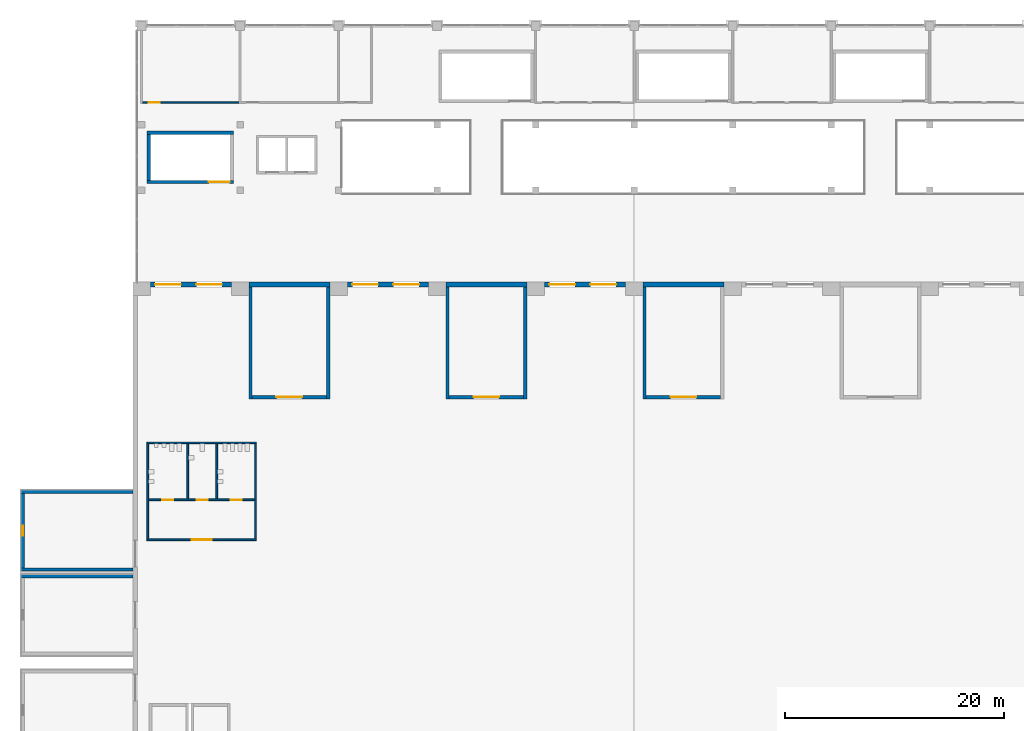
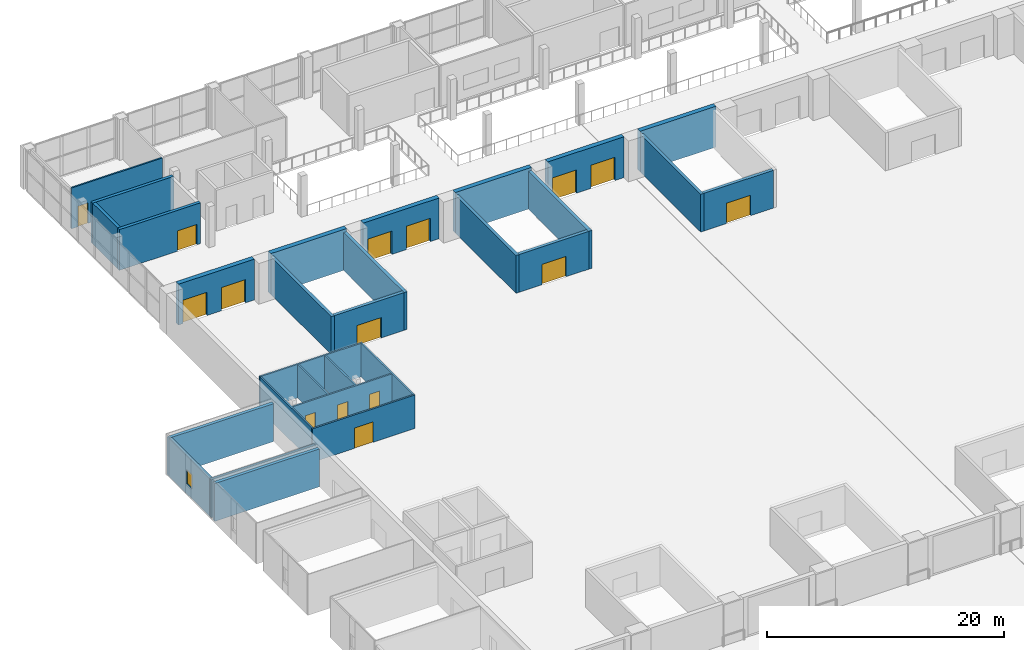
# One storey, part 17 of 39: 29 walls, 15 doors, 1 window, 16 openings.
"""IFC4 building model written with IfcOpenShell, lengths in metres."""

from ifc_helpers import new_model, si_unit, direction, frame, frame_2d, origin, place, context, subcontext, project, spatial, rectangle, extrude, material, layer, layer_set, type_object, element, fill, save


model = new_model("IFC4")

# Units and contexts
model_context = context("Model", 3, precision=1e-05, world=origin(), true_north=direction((0.0, 1.0)))
body_context = subcontext(model_context, "Body", "Model", "MODEL_VIEW")
ifc_project = project(units=[si_unit("LENGTHUNIT", "METRE"), si_unit("AREAUNIT", "SQUARE_METRE"), si_unit("VOLUMEUNIT", "CUBIC_METRE"), si_unit("PLANEANGLEUNIT", "RADIAN"), si_unit("MASSUNIT", "GRAM", prefix="KILO")], contexts=[model_context])

# Site, building, storey
site_placement = place(None, origin())
site = spatial("IfcSite", under=ifc_project, at=site_placement, CompositionType="ELEMENT")
building_placement = place(site_placement, origin())
building = spatial("IfcBuilding", under=site, at=building_placement, Name="Aravalli Gate Trade Fair Centre", CompositionType="ELEMENT")
storey_placement = place(building_placement, frame((0.0, 0.0, 15.0)))
storey = spatial("IfcBuildingStorey", under=building, at=storey_placement, Name="L03", CompositionType="ELEMENT", Elevation=15.0)

# Wall, openings, doors
ifc_material_1 = material(Name="Concrete M40", Category="concrete")
ifc_layer_1 = layer(ifc_material_1, 0.25, Name="Structural wall")
ifc_material_2 = material(Name="Ventilated air cavity")
ifc_layer_2 = layer(ifc_material_2, 0.10009765625, ventilated=True, Name="Ventilated cavity")
ifc_material_3 = material(Name="Terracotta rainscreen", Category="masonry")
ifc_layer_3 = layer(ifc_material_3, 0.10009765625, Name="Rainscreen cladding")
ifc_layer_set_1 = layer_set([ifc_layer_1, ifc_layer_2, ifc_layer_3], Name="Hall external wall 450")
wall_type_1 = type_object("IfcWallType", Name="Hall external wall 450", PredefinedType="SOLIDWALL", material=ifc_layer_set_1)
wall_1_placement = place(storey_placement, frame((6.800048828125, 109.375, 0.0), z_axis=(0.0, 0.0, 1.0), x_axis=(1.0, 0.0, 0.0)))
wall_1 = element("IfcWall", 1, at=wall_1_placement, inside=storey, type_object=wall_type_1, Name="Hall north wall bay 1 L03", PredefinedType="SOLIDWALL", context=body_context, shape_type="SweptSolid", body=[
    extrude(rectangle(XDim=7.39990234375, YDim=0.449951171875, at=frame_2d((3.699951171875, 0.0))), origin(), (0.0, 0.0, 1.0), 4.199951171875),
])
opening_1_placement = place(wall_1_placement, frame((0.449951171875, 0.0, 0.0)))
opening_1 = element("IfcOpeningElement", 2, at=opening_1_placement, cuts=wall_1, Name="Opening H-L03-02", PredefinedType="OPENING", context=body_context, shape_type="SweptSolid", body=[
    extrude(rectangle(XDim=2.35009765625, YDim=2.39990234375, at=frame_2d((1.175048828125, 1.199951171875))), frame((0.0, 0.23486328125, 0.0), z_axis=(0.0, -1.0, 0.0), x_axis=(1.0, 0.0, 0.0)), (0.0, 0.0, 1.0), 0.469970703125),
])
opening_2_placement = place(wall_1_placement, frame((4.199951171875, 0.0, 0.0)))
opening_2 = element("IfcOpeningElement", 3, at=opening_2_placement, cuts=wall_1, Name="Opening H-L03-03", PredefinedType="OPENING", context=body_context, shape_type="SweptSolid", body=[
    extrude(rectangle(XDim=2.35009765625, YDim=2.39990234375, at=frame_2d((1.175048828125, 1.199951171875))), frame((0.0, 0.23486328125, 0.0), z_axis=(0.0, -1.0, 0.0), x_axis=(1.0, 0.0, 0.0)), (0.0, 0.0, 1.0), 0.469970703125),
])
ifc_material_4 = material(Name="Steel", Category="steel")
door_type_1 = type_object("IfcDoorType", Name="Hall entrance double door FD120", OperationType="DOUBLE_DOOR_SINGLE_SWING", PredefinedType="DOOR", material=ifc_material_4)
door_1_placement = place(opening_1_placement, origin())
door_1 = element("IfcDoor", 4, at=door_1_placement, inside=storey, type_object=door_type_1, Name="Hall entrance door bay 1 L03 1", OperationType="DOUBLE_DOOR_SINGLE_SWING", OverallHeight=2.39990234375, OverallWidth=2.35009765625, PredefinedType="DOOR", context=body_context, shape_type="SweptSolid", body=[
    extrude(rectangle(XDim=2.35009765625, YDim=2.39990234375, at=frame_2d((1.175048828125, 1.199951171875))), frame((0.0, 0.02490234375, 0.0), z_axis=(0.0, -1.0, 0.0), x_axis=(1.0, 0.0, 0.0)), (0.0, 0.0, 1.0), 0.050048828125),
])
fill(opening_1, door_1)
door_2_placement = place(opening_2_placement, origin())
door_2 = element("IfcDoor", 5, at=door_2_placement, inside=storey, type_object=door_type_1, Name="Hall entrance door bay 1 L03 2", OperationType="DOUBLE_DOOR_SINGLE_SWING", OverallHeight=2.39990234375, OverallWidth=2.35009765625, PredefinedType="DOOR", context=body_context, shape_type="SweptSolid", body=[
    extrude(rectangle(XDim=2.35009765625, YDim=2.39990234375, at=frame_2d((1.175048828125, 1.199951171875))), frame((0.0, 0.02490234375, 0.0), z_axis=(0.0, -1.0, 0.0), x_axis=(1.0, 0.0, 0.0)), (0.0, 0.0, 1.0), 0.050048828125),
])
fill(opening_2, door_2)

# Wall
wall_2_placement = place(storey_placement, frame((15.800048828125, 109.375, 0.0), z_axis=(0.0, 0.0, 1.0), x_axis=(1.0, 0.0, 0.0)))
element("IfcWall", 6, at=wall_2_placement, inside=storey, type_object=wall_type_1, Name="Hall north wall bay 2 L03", PredefinedType="SOLIDWALL", context=body_context, shape_type="SweptSolid", body=[
    extrude(rectangle(XDim=7.39990234375, YDim=0.449951171875, at=frame_2d((3.699951171875, 0.0))), origin(), (0.0, 0.0, 1.0), 4.199951171875),
])

# Wall, openings, doors
wall_3_placement = place(storey_placement, frame((24.800048828125, 109.375, 0.0), z_axis=(0.0, 0.0, 1.0), x_axis=(1.0, 0.0, 0.0)))
wall_3 = element("IfcWall", 7, at=wall_3_placement, inside=storey, type_object=wall_type_1, Name="Hall north wall bay 3 L03", PredefinedType="SOLIDWALL", context=body_context, shape_type="SweptSolid", body=[
    extrude(rectangle(XDim=7.39990234375, YDim=0.449951171875, at=frame_2d((3.699951171875, 0.0))), origin(), (0.0, 0.0, 1.0), 4.199951171875),
])
opening_3_placement = place(wall_3_placement, frame((0.449951171875, 0.0, 0.0)))
opening_3 = element("IfcOpeningElement", 8, at=opening_3_placement, cuts=wall_3, Name="Opening H-L03-05", PredefinedType="OPENING", context=body_context, shape_type="SweptSolid", body=[
    extrude(rectangle(XDim=2.35009765625, YDim=2.39990234375, at=frame_2d((1.175048828125, 1.199951171875))), frame((0.0, 0.23486328125, 0.0), z_axis=(0.0, -1.0, 0.0), x_axis=(1.0, 0.0, 0.0)), (0.0, 0.0, 1.0), 0.469970703125),
])
opening_4_placement = place(wall_3_placement, frame((4.199951171875, 0.0, 0.0)))
opening_4 = element("IfcOpeningElement", 9, at=opening_4_placement, cuts=wall_3, Name="Opening H-L03-06", PredefinedType="OPENING", context=body_context, shape_type="SweptSolid", body=[
    extrude(rectangle(XDim=2.35009765625, YDim=2.39990234375, at=frame_2d((1.175048828125, 1.199951171875))), frame((0.0, 0.23486328125, 0.0), z_axis=(0.0, -1.0, 0.0), x_axis=(1.0, 0.0, 0.0)), (0.0, 0.0, 1.0), 0.469970703125),
])
door_3_placement = place(opening_3_placement, origin())
door_3 = element("IfcDoor", 10, at=door_3_placement, inside=storey, type_object=door_type_1, Name="Hall entrance door bay 3 L03 1", OperationType="DOUBLE_DOOR_SINGLE_SWING", OverallHeight=2.39990234375, OverallWidth=2.35009765625, PredefinedType="DOOR", context=body_context, shape_type="SweptSolid", body=[
    extrude(rectangle(XDim=2.35009765625, YDim=2.39990234375, at=frame_2d((1.175048828125, 1.199951171875))), frame((0.0, 0.02490234375, 0.0), z_axis=(0.0, -1.0, 0.0), x_axis=(1.0, 0.0, 0.0)), (0.0, 0.0, 1.0), 0.050048828125),
])
fill(opening_3, door_3)
door_4_placement = place(opening_4_placement, origin())
door_4 = element("IfcDoor", 11, at=door_4_placement, inside=storey, type_object=door_type_1, Name="Hall entrance door bay 3 L03 2", OperationType="DOUBLE_DOOR_SINGLE_SWING", OverallHeight=2.39990234375, OverallWidth=2.35009765625, PredefinedType="DOOR", context=body_context, shape_type="SweptSolid", body=[
    extrude(rectangle(XDim=2.35009765625, YDim=2.39990234375, at=frame_2d((1.175048828125, 1.199951171875))), frame((0.0, 0.02490234375, 0.0), z_axis=(0.0, -1.0, 0.0), x_axis=(1.0, 0.0, 0.0)), (0.0, 0.0, 1.0), 0.050048828125),
])
fill(opening_4, door_4)

# Wall
wall_4_placement = place(storey_placement, frame((33.800048828125, 109.375, 0.0), z_axis=(0.0, 0.0, 1.0), x_axis=(1.0, 0.0, 0.0)))
element("IfcWall", 12, at=wall_4_placement, inside=storey, type_object=wall_type_1, Name="Hall north wall bay 4 L03", PredefinedType="SOLIDWALL", context=body_context, shape_type="SweptSolid", body=[
    extrude(rectangle(XDim=7.39990234375, YDim=0.449951171875, at=frame_2d((3.699951171875, 0.0))), origin(), (0.0, 0.0, 1.0), 4.199951171875),
])

# Wall, openings, doors
wall_5_placement = place(storey_placement, frame((42.800048828125, 109.375, 0.0), z_axis=(0.0, 0.0, 1.0), x_axis=(1.0, 0.0, 0.0)))
wall_5 = element("IfcWall", 13, at=wall_5_placement, inside=storey, type_object=wall_type_1, Name="Hall north wall bay 5 L03", PredefinedType="SOLIDWALL", context=body_context, shape_type="SweptSolid", body=[
    extrude(rectangle(XDim=7.39990234375, YDim=0.449951171875, at=frame_2d((3.699951171875, 0.0))), origin(), (0.0, 0.0, 1.0), 4.199951171875),
])
opening_5_placement = place(wall_5_placement, frame((0.449951171875, 0.0, 0.0)))
opening_5 = element("IfcOpeningElement", 14, at=opening_5_placement, cuts=wall_5, Name="Opening H-L03-08", PredefinedType="OPENING", context=body_context, shape_type="SweptSolid", body=[
    extrude(rectangle(XDim=2.35009765625, YDim=2.39990234375, at=frame_2d((1.175048828125, 1.199951171875))), frame((0.0, 0.23486328125, 0.0), z_axis=(0.0, -1.0, 0.0), x_axis=(1.0, 0.0, 0.0)), (0.0, 0.0, 1.0), 0.469970703125),
])
opening_6_placement = place(wall_5_placement, frame((4.199951171875, 0.0, 0.0)))
opening_6 = element("IfcOpeningElement", 15, at=opening_6_placement, cuts=wall_5, Name="Opening H-L03-09", PredefinedType="OPENING", context=body_context, shape_type="SweptSolid", body=[
    extrude(rectangle(XDim=2.35009765625, YDim=2.39990234375, at=frame_2d((1.175048828125, 1.199951171875))), frame((0.0, 0.23486328125, 0.0), z_axis=(0.0, -1.0, 0.0), x_axis=(1.0, 0.0, 0.0)), (0.0, 0.0, 1.0), 0.469970703125),
])
door_5_placement = place(opening_5_placement, origin())
door_5 = element("IfcDoor", 16, at=door_5_placement, inside=storey, type_object=door_type_1, Name="Hall entrance door bay 5 L03 1", OperationType="DOUBLE_DOOR_SINGLE_SWING", OverallHeight=2.39990234375, OverallWidth=2.35009765625, PredefinedType="DOOR", context=body_context, shape_type="SweptSolid", body=[
    extrude(rectangle(XDim=2.35009765625, YDim=2.39990234375, at=frame_2d((1.175048828125, 1.199951171875))), frame((0.0, 0.02490234375, 0.0), z_axis=(0.0, -1.0, 0.0), x_axis=(1.0, 0.0, 0.0)), (0.0, 0.0, 1.0), 0.050048828125),
])
fill(opening_5, door_5)
door_6_placement = place(opening_6_placement, origin())
door_6 = element("IfcDoor", 17, at=door_6_placement, inside=storey, type_object=door_type_1, Name="Hall entrance door bay 5 L03 2", OperationType="DOUBLE_DOOR_SINGLE_SWING", OverallHeight=2.39990234375, OverallWidth=2.35009765625, PredefinedType="DOOR", context=body_context, shape_type="SweptSolid", body=[
    extrude(rectangle(XDim=2.35009765625, YDim=2.39990234375, at=frame_2d((1.175048828125, 1.199951171875))), frame((0.0, 0.02490234375, 0.0), z_axis=(0.0, -1.0, 0.0), x_axis=(1.0, 0.0, 0.0)), (0.0, 0.0, 1.0), 0.050048828125),
])
fill(opening_6, door_6)

# Wall
wall_6_placement = place(storey_placement, frame((51.800048828125, 109.375, 0.0), z_axis=(0.0, 0.0, 1.0), x_axis=(1.0, 0.0, 0.0)))
element("IfcWall", 18, at=wall_6_placement, inside=storey, type_object=wall_type_1, Name="Hall north wall bay 6 L03", PredefinedType="SOLIDWALL", context=body_context, shape_type="SweptSolid", body=[
    extrude(rectangle(XDim=7.39990234375, YDim=0.449951171875, at=frame_2d((3.699951171875, 0.0))), origin(), (0.0, 0.0, 1.0), 4.199951171875),
])

# Wall, opening, door
ifc_material_5 = material(Name="Gypsum board")
ifc_layer_4 = layer(ifc_material_5, 0.02490234375, Name="Gypsum board lining")
ifc_material_6 = material(Name="Galvanised stud framing")
ifc_layer_5 = layer(ifc_material_6, 0.10009765625, Name="Stud framing")
ifc_layer_6 = layer(ifc_material_5, 0.02490234375, Name="Gypsum board lining")
ifc_layer_set_2 = layer_set([ifc_layer_4, ifc_layer_5, ifc_layer_6], Name="Partition wall 150")
wall_type_2 = type_object("IfcWallType", Name="Partition wall 150", PredefinedType="PARTITIONING", material=ifc_layer_set_2)
wall_7_placement = place(storey_placement, frame((6.074951171875, 126.0, 0.0), z_axis=(0.0, 0.0, 1.0), x_axis=(1.0, 0.0, 0.0)))
wall_7 = element("IfcWall", 19, at=wall_7_placement, inside=storey, type_object=wall_type_2, Name="Partition Gents WC south L03", PredefinedType="PARTITIONING", context=body_context, shape_type="SweptSolid", body=[
    extrude(rectangle(XDim=8.85009765625, YDim=0.14990234375, at=frame_2d((4.425048828125, 0.0))), origin(), (0.0, 0.0, 1.0), 4.199951171875),
])
opening_7_placement = place(wall_7_placement, frame((0.60009765625, 0.0, 0.0)))
opening_7 = element("IfcOpeningElement", 20, at=opening_7_placement, cuts=wall_7, Name="Opening C-L03-12", PredefinedType="OPENING", context=body_context, shape_type="SweptSolid", body=[
    extrude(rectangle(XDim=1.0, YDim=2.10009765625, at=frame_2d((0.5, 1.050048828125))), frame((0.0, 0.0849609375, 0.0), z_axis=(0.0, -1.0, 0.0), x_axis=(1.0, 0.0, 0.0)), (0.0, 0.0, 1.0), 0.169921875),
])
ifc_material_7 = material(Name="Steel, fire rated", Category="steel")
door_type_2 = type_object("IfcDoorType", Name="Room door 1000 x 2100", OperationType="SINGLE_SWING_RIGHT", PredefinedType="NOTDEFINED", material=ifc_material_7)
door_7_placement = place(opening_7_placement, frame((1.0, 0.0, 0.0), z_axis=(0.0, 0.0, 1.0), x_axis=(-1.0, 0.0, 0.0)))
door_7 = element("IfcDoor", 21, at=door_7_placement, inside=storey, type_object=door_type_2, Name="Door Gents WC L03", OperationType="SINGLE_SWING_LEFT", OverallHeight=2.10009765625, OverallWidth=1.0, PredefinedType="NOTDEFINED", context=body_context, shape_type="SweptSolid", body=[
    extrude(rectangle(XDim=1.0, YDim=2.10009765625, at=frame_2d((0.5, 1.050048828125))), frame((0.0, 0.02490234375, 0.0), z_axis=(0.0, -1.0, 0.0), x_axis=(1.0, 0.0, 0.0)), (0.0, 0.0, 1.0), 0.050048828125),
])
fill(opening_7, door_7)

ifc_layer_7 = layer(ifc_material_1, 0.300048828125)
ifc_layer_set_3 = layer_set([ifc_layer_7], Name="Concrete M40")
wall_type_3 = type_object("IfcWallType", Name="RC core wall 300", PredefinedType="SHEAR", material=ifc_layer_set_3)
wall_8_placement = place(storey_placement, frame((6.5, 118.75, 0.0), z_axis=(0.0, 0.0, 1.0), x_axis=(1.0, 0.0, 0.0)))
wall_8 = element("IfcWall", 22, at=wall_8_placement, inside=storey, type_object=wall_type_3, Name="Core wall WSS L03", PredefinedType="SHEAR", context=body_context, shape_type="SweptSolid", body=[
    extrude(rectangle(XDim=7.89990234375, YDim=0.300048828125, at=frame_2d((3.949951171875, 0.0))), origin(), (0.0, 0.0, 1.0), 4.199951171875),
])
opening_8_placement = place(wall_8_placement, frame((5.64990234375, 0.0, 0.0)))
opening_8 = element("IfcOpeningElement", 23, at=opening_8_placement, cuts=wall_8, Name="Opening C-L03-01", PredefinedType="OPENING", context=body_context, shape_type="SweptSolid", body=[
    extrude(rectangle(XDim=1.89990234375, YDim=2.10009765625, at=frame_2d((0.949951171875, 1.050048828125))), frame((0.0, 0.159912109375, 0.0), z_axis=(0.0, -1.0, 0.0), x_axis=(1.0, 0.0, 0.0)), (0.0, 0.0, 1.0), 0.320068359375),
])
door_type_3 = type_object("IfcDoorType", Name="Concourse stair door 1900 x 2100", OperationType="DOUBLE_DOOR_SINGLE_SWING", PredefinedType="NOTDEFINED", material=ifc_material_7)
door_8_placement = place(opening_8_placement, frame((1.89990234375, 0.0, 0.0), z_axis=(0.0, 0.0, 1.0), x_axis=(-1.0, 0.0, 0.0)))
door_8 = element("IfcDoor", 24, at=door_8_placement, inside=storey, type_object=door_type_3, Name="Stair door WS L03", OperationType="DOUBLE_DOOR_SINGLE_SWING", OverallHeight=2.10009765625, OverallWidth=1.89990234375, PredefinedType="NOTDEFINED", context=body_context, shape_type="SweptSolid", body=[
    extrude(rectangle(XDim=1.89990234375, YDim=2.10009765625, at=frame_2d((0.949951171875, 1.050048828125))), frame((0.0, 0.02490234375, 0.0), z_axis=(0.0, -1.0, 0.0), x_axis=(1.0, 0.0, 0.0)), (0.0, 0.0, 1.0), 0.050048828125),
])
fill(opening_8, door_8)

# Walls
wall_9_placement = place(storey_placement, frame((6.5, 123.25, 0.0), z_axis=(0.0, 0.0, 1.0), x_axis=(1.0, 0.0, 0.0)))
element("IfcWall", 25, at=wall_9_placement, inside=storey, type_object=wall_type_3, Name="Core wall WSN L03", PredefinedType="SHEAR", context=body_context, shape_type="SweptSolid", body=[
    extrude(rectangle(XDim=7.89990234375, YDim=0.300048828125, at=frame_2d((3.949951171875, 0.0))), origin(), (0.0, 0.0, 1.0), 4.199951171875),
])
wall_10_placement = place(storey_placement, frame((6.64990234375, 118.89990234375, 0.0), z_axis=(0.0, 0.0, 1.0), x_axis=(0.0, 1.0, 0.0)))
element("IfcWall", 26, at=wall_10_placement, inside=storey, type_object=wall_type_3, Name="Core wall WSW L03", PredefinedType="SHEAR", context=body_context, shape_type="SweptSolid", body=[
    extrude(rectangle(XDim=4.2001953125, YDim=0.300048828125, at=frame_2d((2.10009765625, 0.0))), origin(), (0.0, 0.0, 1.0), 4.199951171875),
])
ifc_layer_8 = layer(ifc_material_1, 0.300048828125)
ifc_layer_set_4 = layer_set([ifc_layer_8], Name="Concrete M40")
wall_type_4 = type_object("IfcWallType", Name="Stair tower wall RC 300", PredefinedType="SHEAR", material=ifc_layer_set_4)
for number, where, z_axis, x_axis, name in (
    (27, (15.949951171875, 109.14990234375, 0.0), (0.0, 0.0, 1.0), (0.0, -1.0, 0.0), "Stair tower N02 wall W L03"),
    (28, (23.050048828125, 109.14990234375, 0.0), (0.0, 0.0, 1.0), (0.0, -1.0, 0.0), "Stair tower N02 wall E L03"),
):
    element("IfcWall", number, at=place(storey_placement, frame(where, z_axis=z_axis, x_axis=x_axis)), inside=storey, type_object=wall_type_4, Name=name, PredefinedType="SHEAR", context=body_context, shape_type="SweptSolid", body=[
        extrude(rectangle(XDim=10.199951171875, YDim=0.300048828125, at=frame_2d((5.10009765625, 0.0))), origin(), (0.0, 0.0, 1.0), 3.89990234375),
    ])

# Wall, opening, door
wall_11_placement = place(storey_placement, frame((16.10009765625, 99.10009765625, 0.0), z_axis=(0.0, 0.0, 1.0), x_axis=(1.0, 0.0, 0.0)))
wall_11 = element("IfcWall", 29, at=wall_11_placement, inside=storey, type_object=wall_type_4, Name="Stair tower N02 wall F L03", PredefinedType="SHEAR", context=body_context, shape_type="SweptSolid", body=[
    extrude(rectangle(XDim=6.7998046875, YDim=0.300048828125, at=frame_2d((3.39990234375, 0.0))), origin(), (0.0, 0.0, 1.0), 3.89990234375),
])
opening_9_placement = place(wall_11_placement, frame((2.22509765625, 0.0, 0.0)))
opening_9 = element("IfcOpeningElement", 30, at=opening_9_placement, cuts=wall_11, Name="Opening H-L03-28", PredefinedType="OPENING", context=body_context, shape_type="SweptSolid", body=[
    extrude(rectangle(XDim=2.35009765625, YDim=2.10009765625, at=frame_2d((1.175048828125, 1.050048828125))), frame((0.0, 0.159912109375, 0.0), z_axis=(0.0, -1.0, 0.0), x_axis=(1.0, 0.0, 0.0)), (0.0, 0.0, 1.0), 0.320068359375),
])
door_type_4 = type_object("IfcDoorType", Name="Stair lobby double door FD120", OperationType="DOUBLE_DOOR_SINGLE_SWING", PredefinedType="DOOR", material=ifc_material_4)
door_9_placement = place(opening_9_placement, origin())
door_9 = element("IfcDoor", 31, at=door_9_placement, inside=storey, type_object=door_type_4, Name="Exit door ST-N02 L03", OperationType="DOUBLE_DOOR_SINGLE_SWING", OverallHeight=2.10009765625, OverallWidth=2.35009765625, PredefinedType="DOOR", context=body_context, shape_type="SweptSolid", body=[
    extrude(rectangle(XDim=2.35009765625, YDim=2.10009765625, at=frame_2d((1.175048828125, 1.050048828125))), frame((0.0, 0.02490234375, 0.0), z_axis=(0.0, -1.0, 0.0), x_axis=(1.0, 0.0, 0.0)), (0.0, 0.0, 1.0), 0.050048828125),
])
fill(opening_9, door_9)

# Walls
for number, where, z_axis, x_axis, name in (
    (32, (33.949951171875, 109.14990234375, 0.0), (0.0, 0.0, 1.0), (0.0, -1.0, 0.0), "Stair tower N04 wall W L03"),
    (33, (41.050048828125, 109.14990234375, 0.0), (0.0, 0.0, 1.0), (0.0, -1.0, 0.0), "Stair tower N04 wall E L03"),
):
    element("IfcWall", number, at=place(storey_placement, frame(where, z_axis=z_axis, x_axis=x_axis)), inside=storey, type_object=wall_type_4, Name=name, PredefinedType="SHEAR", context=body_context, shape_type="SweptSolid", body=[
        extrude(rectangle(XDim=10.199951171875, YDim=0.300048828125, at=frame_2d((5.10009765625, 0.0))), origin(), (0.0, 0.0, 1.0), 3.89990234375),
    ])

# Wall, opening, door
wall_12_placement = place(storey_placement, frame((34.10009765625, 99.10009765625, 0.0), z_axis=(0.0, 0.0, 1.0), x_axis=(1.0, 0.0, 0.0)))
wall_12 = element("IfcWall", 34, at=wall_12_placement, inside=storey, type_object=wall_type_4, Name="Stair tower N04 wall F L03", PredefinedType="SHEAR", context=body_context, shape_type="SweptSolid", body=[
    extrude(rectangle(XDim=6.7998046875, YDim=0.300048828125, at=frame_2d((3.39990234375, 0.0))), origin(), (0.0, 0.0, 1.0), 3.89990234375),
])
opening_10_placement = place(wall_12_placement, frame((2.22509765625, 0.0, 0.0)))
opening_10 = element("IfcOpeningElement", 35, at=opening_10_placement, cuts=wall_12, Name="Opening H-L03-29", PredefinedType="OPENING", context=body_context, shape_type="SweptSolid", body=[
    extrude(rectangle(XDim=2.35009765625, YDim=2.10009765625, at=frame_2d((1.175048828125, 1.050048828125))), frame((0.0, 0.159912109375, 0.0), z_axis=(0.0, -1.0, 0.0), x_axis=(1.0, 0.0, 0.0)), (0.0, 0.0, 1.0), 0.320068359375),
])
door_10_placement = place(opening_10_placement, origin())
door_10 = element("IfcDoor", 36, at=door_10_placement, inside=storey, type_object=door_type_4, Name="Exit door ST-N04 L03", OperationType="DOUBLE_DOOR_SINGLE_SWING", OverallHeight=2.10009765625, OverallWidth=2.35009765625, PredefinedType="DOOR", context=body_context, shape_type="SweptSolid", body=[
    extrude(rectangle(XDim=2.35009765625, YDim=2.10009765625, at=frame_2d((1.175048828125, 1.050048828125))), frame((0.0, 0.02490234375, 0.0), z_axis=(0.0, -1.0, 0.0), x_axis=(1.0, 0.0, 0.0)), (0.0, 0.0, 1.0), 0.050048828125),
])
fill(opening_10, door_10)

# Wall
wall_13_placement = place(storey_placement, frame((51.949951171875, 109.14990234375, 0.0), z_axis=(0.0, 0.0, 1.0), x_axis=(0.0, -1.0, 0.0)))
element("IfcWall", 37, at=wall_13_placement, inside=storey, type_object=wall_type_4, Name="Stair tower N06 wall W L03", PredefinedType="SHEAR", context=body_context, shape_type="SweptSolid", body=[
    extrude(rectangle(XDim=10.199951171875, YDim=0.300048828125, at=frame_2d((5.10009765625, 0.0))), origin(), (0.0, 0.0, 1.0), 3.89990234375),
])

# Wall, opening, door
wall_14_placement = place(storey_placement, frame((52.10009765625, 99.10009765625, 0.0), z_axis=(0.0, 0.0, 1.0), x_axis=(1.0, 0.0, 0.0)))
wall_14 = element("IfcWall", 38, at=wall_14_placement, inside=storey, type_object=wall_type_4, Name="Stair tower N06 wall F L03", PredefinedType="SHEAR", context=body_context, shape_type="SweptSolid", body=[
    extrude(rectangle(XDim=6.7998046875, YDim=0.300048828125, at=frame_2d((3.39990234375, 0.0))), origin(), (0.0, 0.0, 1.0), 3.89990234375),
])
opening_11_placement = place(wall_14_placement, frame((2.22509765625, 0.0, 0.0)))
opening_11 = element("IfcOpeningElement", 39, at=opening_11_placement, cuts=wall_14, Name="Opening H-L03-30", PredefinedType="OPENING", context=body_context, shape_type="SweptSolid", body=[
    extrude(rectangle(XDim=2.35009765625, YDim=2.10009765625, at=frame_2d((1.175048828125, 1.050048828125))), frame((0.0, 0.159912109375, 0.0), z_axis=(0.0, -1.0, 0.0), x_axis=(1.0, 0.0, 0.0)), (0.0, 0.0, 1.0), 0.320068359375),
])
door_11_placement = place(opening_11_placement, origin())
door_11 = element("IfcDoor", 40, at=door_11_placement, inside=storey, type_object=door_type_4, Name="Exit door ST-N06 L03", OperationType="DOUBLE_DOOR_SINGLE_SWING", OverallHeight=2.10009765625, OverallWidth=2.35009765625, PredefinedType="DOOR", context=body_context, shape_type="SweptSolid", body=[
    extrude(rectangle(XDim=2.35009765625, YDim=2.10009765625, at=frame_2d((1.175048828125, 1.050048828125))), frame((0.0, 0.02490234375, 0.0), z_axis=(0.0, -1.0, 0.0), x_axis=(1.0, 0.0, 0.0)), (0.0, 0.0, 1.0), 0.050048828125),
])
fill(opening_11, door_11)

# Walls
for number, where, z_axis, x_axis, name in (
    (41, (5.199951171875, 82.75, 0.0), (0.0, 0.0, 1.0), (-1.0, 0.0, 0.0), "Stair tower W2 wall E L03"),
    (42, (5.199951171875, 83.35009765625, 0.0), (0.0, 0.0, 1.0), (-1.0, 0.0, 0.0), "Stair tower W5 wall W L03"),
    (43, (5.199951171875, 90.449951171875, 0.0), (0.0, 0.0, 1.0), (-1.0, 0.0, 0.0), "Stair tower W5 wall E L03"),
):
    element("IfcWall", number, at=place(storey_placement, frame(where, z_axis=z_axis, x_axis=x_axis)), inside=storey, type_object=wall_type_4, Name=name, PredefinedType="SHEAR", context=body_context, shape_type="SweptSolid", body=[
        extrude(rectangle(XDim=10.199951171875, YDim=0.300048828125, at=frame_2d((5.10009765625, 0.0))), origin(), (0.0, 0.0, 1.0), 3.89990234375),
    ])

# Wall, opening, window
wall_15_placement = place(storey_placement, frame((-4.85009765625, 83.5, 0.0), z_axis=(0.0, 0.0, 1.0), x_axis=(0.0, 1.0, 0.0)))
wall_15 = element("IfcWall", 44, at=wall_15_placement, inside=storey, type_object=wall_type_4, Name="Stair tower W5 wall F L03", PredefinedType="SHEAR", context=body_context, shape_type="SweptSolid", body=[
    extrude(rectangle(XDim=6.800048828125, YDim=0.300048828125, at=frame_2d((3.39990234375, 0.0))), origin(), (0.0, 0.0, 1.0), 3.89990234375),
])
opening_12_placement = place(wall_15_placement, frame((2.949951171875, 0.0, 1.0)))
opening_12 = element("IfcOpeningElement", 45, at=opening_12_placement, cuts=wall_15, Name="Opening LW1", PredefinedType="OPENING", context=body_context, shape_type="SweptSolid", body=[
    extrude(rectangle(XDim=0.89990234375, YDim=1.5, at=frame_2d((0.449951171875, 0.75))), frame((0.0, 0.159912109375, 0.0), z_axis=(0.0, -1.0, 0.0), x_axis=(1.0, 0.0, 0.0)), (0.0, 0.0, 1.0), 0.320068359375),
])
ifc_material_8 = material(Name="Fire-resistant glazing", Category="glass")
window_type = type_object("IfcWindowType", Name="Stair landing window FRG 900x1500", PartitioningType="SINGLE_PANEL", PredefinedType="WINDOW", material=ifc_material_8)
window_placement = place(opening_12_placement, origin())
window = element("IfcWindow", 46, at=window_placement, inside=storey, type_object=window_type, Name="Stair landing window W5 L03", OverallHeight=1.5, OverallWidth=0.89990234375, PartitioningType="SINGLE_PANEL", PredefinedType="WINDOW", context=body_context, shape_type="SweptSolid", body=[
    extrude(rectangle(XDim=0.89990234375, YDim=1.5, at=frame_2d((0.449951171875, 0.75))), frame((0.0, 0.030029296875, 0.0), z_axis=(0.0, -1.0, 0.0), x_axis=(1.0, 0.0, 0.0)), (0.0, 0.0, 1.0), 0.06005859375),
])
fill(opening_12, window)

# Wall, opening, door
ifc_layer_9 = layer(ifc_material_1, 0.14990234375)
ifc_layer_set_5 = layer_set([ifc_layer_9], Name="Concrete M40")
wall_type_5 = type_object("IfcWallType", Name="WC block wall RC 150", PredefinedType="SOLIDWALL", material=ifc_layer_set_5)
wall_16_placement = place(storey_placement, frame((6.5, 86.074951171875, 0.0), z_axis=(0.0, 0.0, 1.0), x_axis=(1.0, 0.0, 0.0)))
wall_16 = element("IfcWall", 47, at=wall_16_placement, inside=storey, type_object=wall_type_5, Name="WC block W L03 wall s", PredefinedType="SOLIDWALL", context=body_context, shape_type="SweptSolid", body=[
    extrude(rectangle(XDim=10.0, YDim=0.14990234375, at=frame_2d((5.0, 0.0))), origin(), (0.0, 0.0, 1.0), 3.449951171875),
])
opening_13_placement = place(wall_16_placement, frame((4.10009765625, 0.0, 0.0)))
opening_13 = element("IfcOpeningElement", 48, at=opening_13_placement, cuts=wall_16, Name="Opening H-L03-33", PredefinedType="OPENING", context=body_context, shape_type="SweptSolid", body=[
    extrude(rectangle(XDim=1.800048828125, YDim=2.10009765625, at=frame_2d((0.89990234375, 1.050048828125))), frame((0.0, 0.0849609375, 0.0), z_axis=(0.0, -1.0, 0.0), x_axis=(1.0, 0.0, 0.0)), (0.0, 0.0, 1.0), 0.169921875),
])
ifc_material_9 = material(Name="Timber", Category="wood")
door_type_5 = type_object("IfcDoorType", Name="WC entrance double door 1800", OperationType="DOUBLE_DOOR_SINGLE_SWING", PredefinedType="DOOR", material=ifc_material_9)
door_12_placement = place(opening_13_placement, origin())
door_12 = element("IfcDoor", 49, at=door_12_placement, inside=storey, type_object=door_type_5, Name="WC entrance door W L03", OperationType="DOUBLE_DOOR_SINGLE_SWING", OverallHeight=2.10009765625, OverallWidth=1.800048828125, PredefinedType="DOOR", context=body_context, shape_type="SweptSolid", body=[
    extrude(rectangle(XDim=1.800048828125, YDim=2.10009765625, at=frame_2d((0.89990234375, 1.050048828125))), frame((0.0, 0.02490234375, 0.0), z_axis=(0.0, -1.0, 0.0), x_axis=(1.0, 0.0, 0.0)), (0.0, 0.0, 1.0), 0.050048828125),
])
fill(opening_13, door_12)

# Walls
wall_17_placement = place(storey_placement, frame((6.5, 94.925048828125, 0.0), z_axis=(0.0, 0.0, 1.0), x_axis=(1.0, 0.0, 0.0)))
element("IfcWall", 50, at=wall_17_placement, inside=storey, type_object=wall_type_5, Name="WC block W L03 wall n", PredefinedType="SOLIDWALL", context=body_context, shape_type="SweptSolid", body=[
    extrude(rectangle(XDim=10.0, YDim=0.14990234375, at=frame_2d((5.0, 0.0))), origin(), (0.0, 0.0, 1.0), 3.449951171875),
])
for number, where, z_axis, x_axis, name in (
    (51, (6.574951171875, 86.14990234375, 0.0), (0.0, 0.0, 1.0), (0.0, 1.0, 0.0), "WC block W L03 wall w"),
    (52, (16.425048828125, 86.14990234375, 0.0), (0.0, 0.0, 1.0), (0.0, 1.0, 0.0), "WC block W L03 wall e"),
):
    element("IfcWall", number, at=place(storey_placement, frame(where, z_axis=z_axis, x_axis=x_axis)), inside=storey, type_object=wall_type_5, Name=name, PredefinedType="SOLIDWALL", context=body_context, shape_type="SweptSolid", body=[
        extrude(rectangle(XDim=8.7001953125, YDim=0.14990234375, at=frame_2d((4.35009765625, 0.0))), origin(), (0.0, 0.0, 1.0), 3.449951171875),
    ])

# Wall, openings, doors
wall_18_placement = place(storey_placement, frame((6.64990234375, 89.72509765625, 0.0), z_axis=(0.0, 0.0, 1.0), x_axis=(1.0, 0.0, 0.0)))
wall_18 = element("IfcWall", 53, at=wall_18_placement, inside=storey, type_object=wall_type_5, Name="WC block W L03 wall l", PredefinedType="SOLIDWALL", context=body_context, shape_type="SweptSolid", body=[
    extrude(rectangle(XDim=9.7001953125, YDim=0.14990234375, at=frame_2d((4.85009765625, 0.0))), origin(), (0.0, 0.0, 1.0), 3.449951171875),
])
opening_14_placement = place(wall_18_placement, frame((1.25, 0.0, 0.0)))
opening_14 = element("IfcOpeningElement", 54, at=opening_14_placement, cuts=wall_18, Name="Opening H-L03-34", PredefinedType="OPENING", context=body_context, shape_type="SweptSolid", body=[
    extrude(rectangle(XDim=1.0, YDim=2.10009765625, at=frame_2d((0.5, 1.050048828125))), frame((0.0, 0.0849609375, 0.0), z_axis=(0.0, -1.0, 0.0), x_axis=(1.0, 0.0, 0.0)), (0.0, 0.0, 1.0), 0.169921875),
])
opening_15_placement = place(wall_18_placement, frame((4.39990234375, 0.0, 0.0)))
opening_15 = element("IfcOpeningElement", 55, at=opening_15_placement, cuts=wall_18, Name="Opening H-L03-35", PredefinedType="OPENING", context=body_context, shape_type="SweptSolid", body=[
    extrude(rectangle(XDim=1.0, YDim=2.10009765625, at=frame_2d((0.5, 1.050048828125))), frame((0.0, 0.0849609375, 0.0), z_axis=(0.0, -1.0, 0.0), x_axis=(1.0, 0.0, 0.0)), (0.0, 0.0, 1.0), 0.169921875),
])
opening_16_placement = place(wall_18_placement, frame((7.5, 0.0, 0.0)))
opening_16 = element("IfcOpeningElement", 56, at=opening_16_placement, cuts=wall_18, Name="Opening H-L03-36", PredefinedType="OPENING", context=body_context, shape_type="SweptSolid", body=[
    extrude(rectangle(XDim=1.0, YDim=2.10009765625, at=frame_2d((0.5, 1.050048828125))), frame((0.0, 0.0849609375, 0.0), z_axis=(0.0, -1.0, 0.0), x_axis=(1.0, 0.0, 0.0)), (0.0, 0.0, 1.0), 0.169921875),
])
door_type_6 = type_object("IfcDoorType", Name="WC door 1000", OperationType="SINGLE_SWING_LEFT", PredefinedType="DOOR", material=ifc_material_9)
door_13_placement = place(opening_14_placement, origin())
door_13 = element("IfcDoor", 57, at=door_13_placement, inside=storey, type_object=door_type_6, Name="Men WC door W L03", OperationType="SINGLE_SWING_LEFT", OverallHeight=2.10009765625, OverallWidth=1.0, PredefinedType="DOOR", context=body_context, shape_type="SweptSolid", body=[
    extrude(rectangle(XDim=1.0, YDim=2.10009765625, at=frame_2d((0.5, 1.050048828125))), frame((0.0, 0.02490234375, 0.0), z_axis=(0.0, -1.0, 0.0), x_axis=(1.0, 0.0, 0.0)), (0.0, 0.0, 1.0), 0.050048828125),
])
fill(opening_14, door_13)
door_14_placement = place(opening_15_placement, origin())
door_14 = element("IfcDoor", 58, at=door_14_placement, inside=storey, type_object=door_type_6, Name="Accessible WC door W L03", OperationType="SINGLE_SWING_LEFT", OverallHeight=2.10009765625, OverallWidth=1.0, PredefinedType="DOOR", context=body_context, shape_type="SweptSolid", body=[
    extrude(rectangle(XDim=1.0, YDim=2.10009765625, at=frame_2d((0.5, 1.050048828125))), frame((0.0, 0.02490234375, 0.0), z_axis=(0.0, -1.0, 0.0), x_axis=(1.0, 0.0, 0.0)), (0.0, 0.0, 1.0), 0.050048828125),
])
fill(opening_15, door_14)
door_15_placement = place(opening_16_placement, origin())
door_15 = element("IfcDoor", 59, at=door_15_placement, inside=storey, type_object=door_type_6, Name="Women WC door W L03", OperationType="SINGLE_SWING_RIGHT", OverallHeight=2.10009765625, OverallWidth=1.0, PredefinedType="DOOR", context=body_context, shape_type="SweptSolid", body=[
    extrude(rectangle(XDim=1.0, YDim=2.10009765625, at=frame_2d((0.5, 1.050048828125))), frame((0.0, 0.02490234375, 0.0), z_axis=(0.0, -1.0, 0.0), x_axis=(1.0, 0.0, 0.0)), (0.0, 0.0, 1.0), 0.050048828125),
])
fill(opening_16, door_15)

# Walls
for number, where, z_axis, x_axis, name in (
    (60, (10.22509765625, 89.800048828125, 0.0), (0.0, 0.0, 1.0), (0.0, 1.0, 0.0), "WC block W L03 wall p1"),
    (61, (12.875, 89.800048828125, 0.0), (0.0, 0.0, 1.0), (0.0, 1.0, 0.0), "WC block W L03 wall p2"),
):
    element("IfcWall", number, at=place(storey_placement, frame(where, z_axis=z_axis, x_axis=x_axis)), inside=storey, type_object=wall_type_5, Name=name, PredefinedType="SOLIDWALL", context=body_context, shape_type="SweptSolid", body=[
        extrude(rectangle(XDim=5.050048828125, YDim=0.14990234375, at=frame_2d((2.52490234375, 0.0))), origin(), (0.0, 0.0, 1.0), 3.449951171875),
    ])

save(model, "model.ifc")
